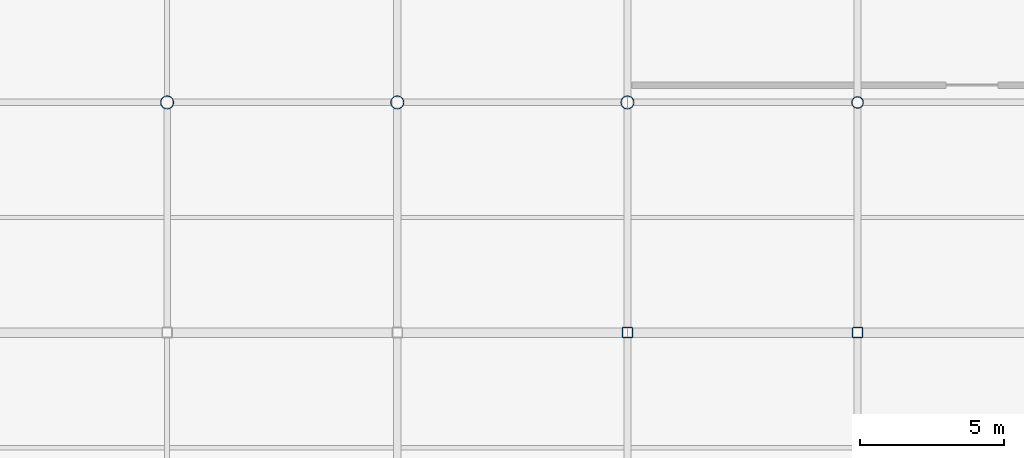
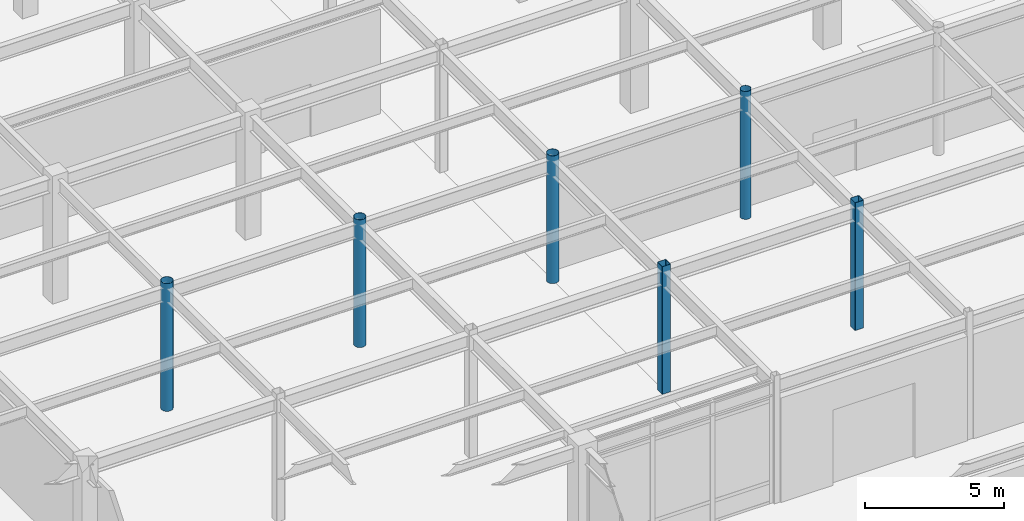
# One storey, part 20 of 128: 6 columns.
"""IFC4 building model written with IfcOpenShell, lengths in metres."""

from ifc_helpers import new_model, si_unit, direction, frame, origin, origin_2d, place, context, subcontext, project, spatial, hollow_rectangle, hollow_circle, extrude, material, material_profile, profile_set, type_object, element, save


model = new_model("IFC4")

# Units and contexts
model_context = context("Model", 3, precision=1e-05, world=origin(), true_north=direction((0.0, 1.0)))
body_context = subcontext(model_context, "Body", "Model", "MODEL_VIEW")
ifc_project = project(units=[si_unit("LENGTHUNIT", "METRE"), si_unit("AREAUNIT", "SQUARE_METRE"), si_unit("VOLUMEUNIT", "CUBIC_METRE"), si_unit("PLANEANGLEUNIT", "RADIAN"), si_unit("MASSUNIT", "GRAM", prefix="KILO")], contexts=[model_context])

# Site, building, storey
site_placement = place(None, origin())
site = spatial("IfcSite", under=ifc_project, at=site_placement, CompositionType="ELEMENT")
building_placement = place(site_placement, origin())
building = spatial("IfcBuilding", under=site, at=building_placement, Name="Solmirada Galleria", CompositionType="ELEMENT")
storey_placement = place(building_placement, origin())
storey = spatial("IfcBuildingStorey", under=building, at=storey_placement, Name="L00", CompositionType="ELEMENT", Elevation=0.0)

# Columns
ifc_material = material(Name="Steel S355 / ASTM A500 Grade C", Category="steel")
ifc_material_profile_1 = material_profile(ifc_material, hollow_circle(Radius=0.202880859375, WallThickness=0.01171875, at=origin_2d()), Name="HSS16.000X0.500")
ifc_profile_set_1 = profile_set([ifc_material_profile_1], Name="Steel S355 / ASTM A500 Grade C")
column_type_1 = type_object("IfcColumnType", Name="COL-CHS16", PredefinedType="COLUMN", material=ifc_profile_set_1)
column_placement = place(storey_placement, frame((128.0, 88.0, 0.0), z_axis=(0.0, 0.0, 1.0), x_axis=(1.0, 0.0, 0.0)))
element("IfcColumn", 1, at=column_placement, inside=storey, type_object=column_type_1, Name="Structural column L00-1060", PredefinedType="COLUMN", context=body_context, shape_type="SweptSolid", body=[
    extrude(hollow_circle(Radius=0.202880859375, WallThickness=0.01171875, at=origin_2d()), origin(), (0.0, 0.0, 1.0), 5.60009765625),
])
ifc_material_profile_2 = material_profile(ifc_material, hollow_circle(Radius=0.228515625, WallThickness=0.01171875, at=origin_2d()), Name="HSS18.000X0.500")
ifc_profile_set_2 = profile_set([ifc_material_profile_2], Name="Steel S355 / ASTM A500 Grade C")
column_type_2 = type_object("IfcColumnType", Name="COL-CHS18", PredefinedType="COLUMN", material=ifc_profile_set_2)
for number, where, z_axis, x_axis, name in (
    (2, (104.0, 88.0, 0.0), (0.0, 0.0, 1.0), (1.0, 0.0, 0.0), "Structural column L00-0770"),
    (3, (112.0, 88.0, 0.0), (0.0, 0.0, 1.0), (1.0, 0.0, 0.0), "Structural column L00-0886"),
    (4, (120.0, 88.0, 0.0), (0.0, 0.0, 1.0), (1.0, 0.0, 0.0), "Structural column L00-0977"),
):
    element("IfcColumn", number, at=place(storey_placement, frame(where, z_axis=z_axis, x_axis=x_axis)), inside=storey, type_object=column_type_2, Name=name, PredefinedType="COLUMN", context=body_context, shape_type="SweptSolid", body=[
        extrude(hollow_circle(Radius=0.228515625, WallThickness=0.01171875, at=origin_2d()), origin(), (0.0, 0.0, 1.0), 5.60009765625),
    ])
ifc_material_profile_3 = material_profile(ifc_material, hollow_rectangle(XDim=0.35595703125, YDim=0.35595703125, WallThickness=0.01171875, InnerFilletRadius=0.01171875, OuterFilletRadius=0.023681640625, at=origin_2d()), Name="HSS14X14X1/2")
ifc_profile_set_3 = profile_set([ifc_material_profile_3], Name="Steel S355 / ASTM A500 Grade C")
column_type_3 = type_object("IfcColumnType", Name="COL-HSS14", PredefinedType="COLUMN", material=ifc_profile_set_3)
for number, where, z_axis, x_axis, name in (
    (5, (120.0, 80.0, 0.0), (0.0, 0.0, 1.0), (1.0, 0.0, 0.0), "Structural column L00-0972"),
    (6, (128.0, 80.0, 0.0), (0.0, 0.0, 1.0), (1.0, 0.0, 0.0), "Structural column L00-1055"),
):
    element("IfcColumn", number, at=place(storey_placement, frame(where, z_axis=z_axis, x_axis=x_axis)), inside=storey, type_object=column_type_3, Name=name, PredefinedType="COLUMN", context=body_context, shape_type="SweptSolid", body=[
        extrude(hollow_rectangle(XDim=0.35595703125, YDim=0.35595703125, WallThickness=0.01171875, InnerFilletRadius=0.01171875, OuterFilletRadius=0.023681640625, at=origin_2d()), origin(), (0.0, 0.0, 1.0), 5.60009765625),
    ])

save(model, "model.ifc")
